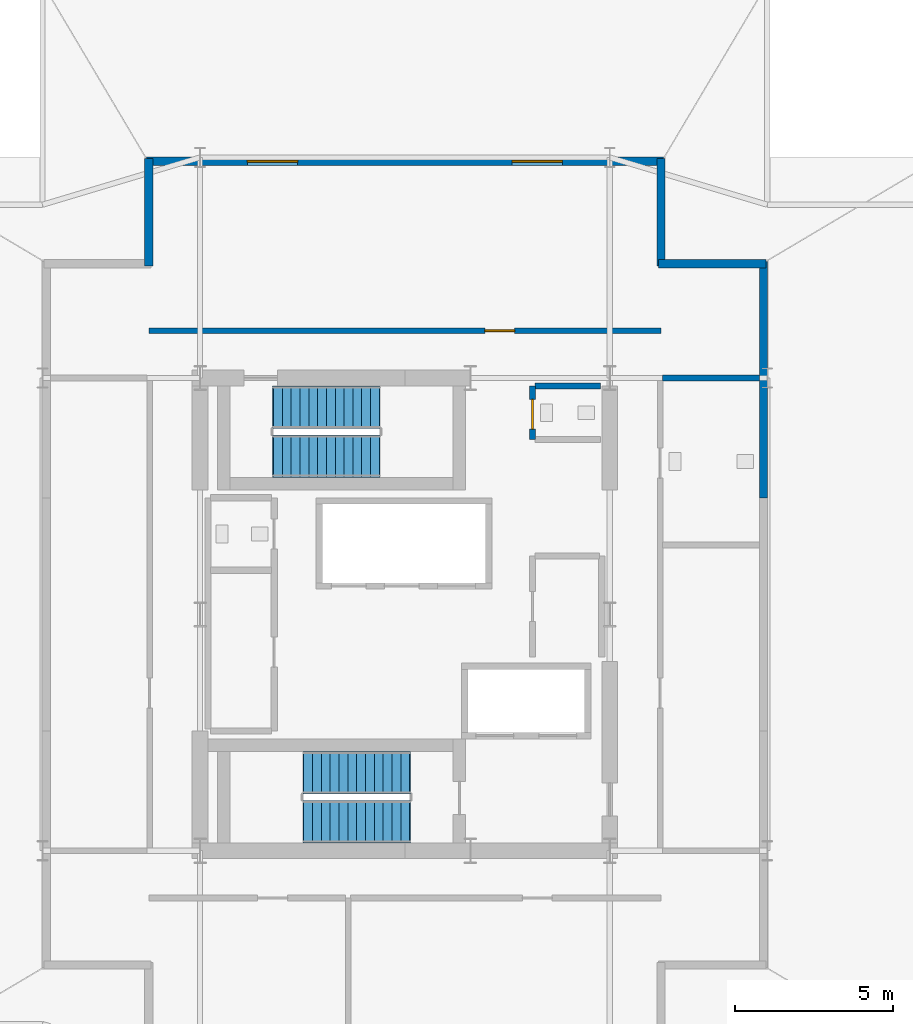
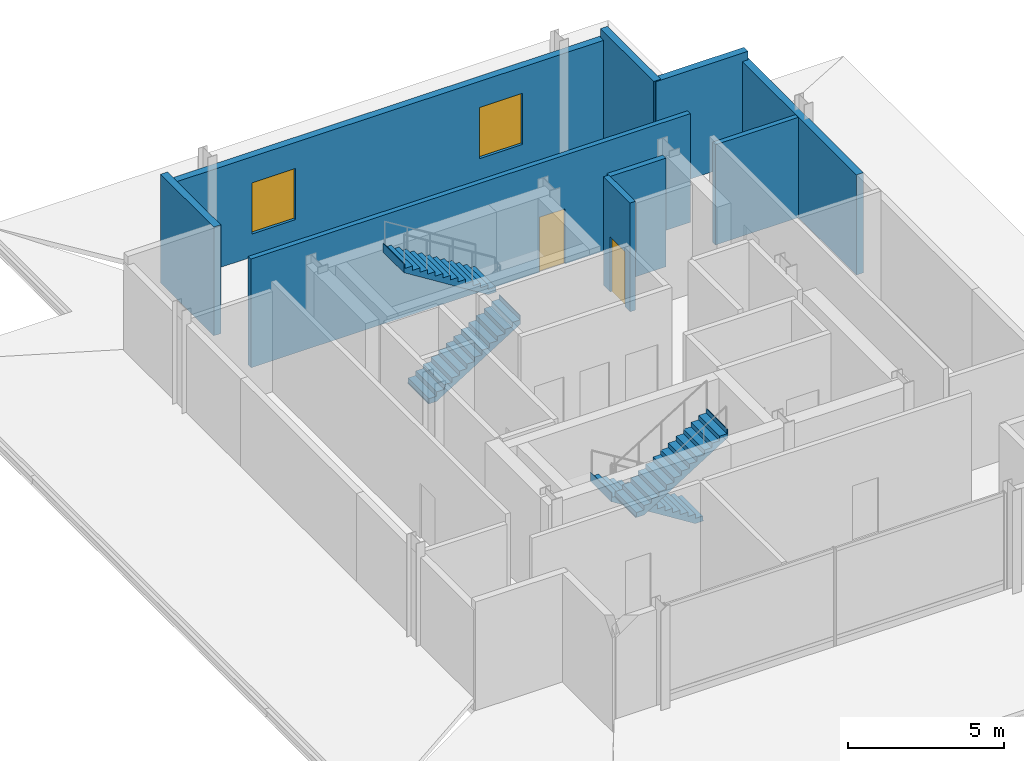
# One storey, part 7 of 9: 9 walls, 4 stair flights, 2 doors, 2 windows, 4 openings, 2 elements without a shape of their own.
"""IFC4 building model written with IfcOpenShell, lengths in metres."""

from ifc_helpers import new_model, si_unit, direction, frame, frame_2d, origin, place, context, subcontext, project, spatial, polyline, rectangle, outline, extrude, material, layer, layer_set, type_object, element, fill, aggregate, save


model = new_model("IFC4")

# Units and contexts
model_context = context("Model", 3, precision=1e-05, world=origin(), true_north=direction((0.0, 1.0)))
body_context = subcontext(model_context, "Body", "Model", "MODEL_VIEW")
ifc_project = project(units=[si_unit("LENGTHUNIT", "METRE"), si_unit("AREAUNIT", "SQUARE_METRE"), si_unit("VOLUMEUNIT", "CUBIC_METRE"), si_unit("PLANEANGLEUNIT", "RADIAN"), si_unit("MASSUNIT", "GRAM", prefix="KILO")], contexts=[model_context])

# Site, building, storey
site_placement = place(None, origin())
site = spatial("IfcSite", under=ifc_project, at=site_placement, CompositionType="ELEMENT")
building_placement = place(site_placement, origin())
building = spatial("IfcBuilding", under=site, at=building_placement, Name="Barlavira Tower and Art Museum", CompositionType="ELEMENT")
storey_placement = place(building_placement, frame((0.0, 0.0, 309.89990234375)))
storey = spatial("IfcBuildingStorey", under=building, at=storey_placement, Name="L81", CompositionType="ELEMENT", Elevation=309.89990234375)

# Wall, openings, windows
ifc_material_1 = material(Name="Architectural white precast concrete C40", Category="concrete")
ifc_layer_1 = layer(ifc_material_1, 0.260009765625, Name="Architectural white precast concrete C40")
ifc_layer_set_1 = layer_set([ifc_layer_1], Name="Architectural white precast concrete C40")
wall_type_1 = type_object("IfcWallType", Name="Crown Architectural White Precast Wall 260 Concrete C40", PredefinedType="SOLIDWALL", material=ifc_layer_set_1)
wall_1_placement = place(storey_placement, frame((8.199951171875, 14.3798828125, 0.0), z_axis=(0.0, 0.0, 1.0), x_axis=(-1.0, 0.0, 0.0)))
wall_1 = element("IfcWall", 1, at=wall_1_placement, inside=storey, type_object=wall_type_1, Name="L81 Chisel Tall-North White Precast Wall", PredefinedType="SOLIDWALL", context=body_context, shape_type="SweptSolid", body=[
    extrude(rectangle(XDim=16.39990234375, YDim=0.260009765625, at=frame_2d((8.199951171875, 0.0))), origin(), (0.0, 0.0, 1.0), 3.918212890625),
])
opening_1_placement = place(wall_1_placement, frame((3.199951171875, 0.0, 0.89990234375)))
opening_1 = element("IfcOpeningElement", 2, at=opening_1_placement, cuts=wall_1, Name="Opening WN-04", PredefinedType="OPENING", context=body_context, shape_type="SweptSolid", body=[
    extrude(rectangle(XDim=1.60009765625, YDim=2.0, at=frame_2d((0.800048828125, 1.0))), frame((0.0, 0.14013671875, 0.0), z_axis=(0.0, -1.0, 0.0), x_axis=(1.0, 0.0, 0.0)), (0.0, 0.0, 1.0), 0.280029296875),
])
opening_2_placement = place(wall_1_placement, frame((11.60009765625, 0.0, 0.89990234375)))
opening_2 = element("IfcOpeningElement", 3, at=opening_2_placement, cuts=wall_1, Name="Opening WN-04", PredefinedType="OPENING", context=body_context, shape_type="SweptSolid", body=[
    extrude(rectangle(XDim=1.60009765625, YDim=2.0, at=frame_2d((0.800048828125, 1.0))), frame((0.0, 0.14013671875, 0.0), z_axis=(0.0, -1.0, 0.0), x_axis=(1.0, 0.0, 0.0)), (0.0, 0.0, 1.0), 0.280029296875),
])
ifc_material_2 = material(Name="Low-iron coastal laminated glass", Category="glass")
window_type = type_object("IfcWindowType", Name="Crown Conservatory Casement Window 1600x2000", PartitioningType="SINGLE_PANEL", PredefinedType="WINDOW", material=ifc_material_2)
window_1_placement = place(opening_1_placement, origin())
window_1 = element("IfcWindow", 4, at=window_1_placement, inside=storey, type_object=window_type, Name="L81 Conservatory Casement Window 1", OverallHeight=2.0, OverallWidth=1.60009765625, PartitioningType="SINGLE_PANEL", PredefinedType="WINDOW", context=body_context, shape_type="SweptSolid", body=[
    extrude(rectangle(XDim=1.60009765625, YDim=2.0, at=frame_2d((0.800048828125, 1.0))), frame((0.0, 0.030029296875, 0.0), z_axis=(0.0, -1.0, 0.0), x_axis=(1.0, 0.0, 0.0)), (0.0, 0.0, 1.0), 0.06005859375),
])
fill(opening_1, window_1)
window_2_placement = place(opening_2_placement, origin())
window_2 = element("IfcWindow", 5, at=window_2_placement, inside=storey, type_object=window_type, Name="L81 Conservatory Casement Window 2", OverallHeight=2.0, OverallWidth=1.60009765625, PartitioningType="SINGLE_PANEL", PredefinedType="WINDOW", context=body_context, shape_type="SweptSolid", body=[
    extrude(rectangle(XDim=1.60009765625, YDim=2.0, at=frame_2d((0.800048828125, 1.0))), frame((0.0, 0.030029296875, 0.0), z_axis=(0.0, -1.0, 0.0), x_axis=(1.0, 0.0, 0.0)), (0.0, 0.0, 1.0), 0.06005859375),
])
fill(opening_2, window_2)

# Walls
wall_2_placement = place(storey_placement, frame((11.3798828125, 3.699951171875, 0.0), z_axis=(0.0, 0.0, 1.0), x_axis=(0.0, 1.0, 0.0)))
element("IfcWall", 6, at=wall_2_placement, inside=storey, type_object=wall_type_1, Name="L81 Chisel E White Precast Wall 3", PredefinedType="SOLIDWALL", context=body_context, shape_type="SweptSolid", body=[
    extrude(rectangle(XDim=7.5, YDim=0.260009765625, at=frame_2d((3.75, 0.0))), origin(), (0.0, 0.0, 1.0), 3.918212890625),
])
for number, where, z_axis, x_axis, name in (
    (7, (11.4599609375, 11.1298828125, 0.0), (0.0, 0.0, 1.0), (-1.0, 0.0, 0.0), "L81 Crown Notch White Precast Wall NE1"),
    (8, (8.1298828125, 11.050048828125, 0.0), (0.0, 0.0, 1.0), (0.0, 1.0, 0.0), "L81 Crown Notch White Precast Wall NE2"),
    (9, (-8.1298828125, 14.4599609375, 0.0), (0.0, 0.0, 1.0), (0.0, -1.0, 0.0), "L81 Crown Notch White Precast Wall NW1"),
):
    element("IfcWall", number, at=place(storey_placement, frame(where, z_axis=z_axis, x_axis=x_axis)), inside=storey, type_object=wall_type_1, Name=name, PredefinedType="SOLIDWALL", context=body_context, shape_type="SweptSolid", body=[
        extrude(rectangle(XDim=3.409912109375, YDim=0.260009765625, at=frame_2d((1.705078125, 0.0))), origin(), (0.0, 0.0, 1.0), 4.25),
    ])

# Wall, opening, door
ifc_material_3 = material(Name="Autoclaved aerated concrete masonry", Category="masonry")
ifc_layer_2 = layer(ifc_material_3, 0.199951171875, Name="Autoclaved aerated concrete masonry")
ifc_layer_set_2 = layer_set([ifc_layer_2], Name="Autoclaved aerated concrete masonry")
wall_type_2 = type_object("IfcWallType", Name="Fire Compartment and Shaft Wall 200", PredefinedType="SOLIDWALL", material=ifc_layer_set_2)
wall_3_placement = place(storey_placement, frame((4.050048828125, 5.550048828125, 0.0), z_axis=(0.0, 0.0, 1.0), x_axis=(0.0, 1.0, 0.0)))
wall_3 = element("IfcWall", 10, at=wall_3_placement, inside=storey, type_object=wall_type_2, Name="L81 Partition Wall 6", PredefinedType="SOLIDWALL", context=body_context, shape_type="SweptSolid", body=[
    extrude(rectangle(XDim=1.699951171875, YDim=0.199951171875, at=frame_2d((0.85009765625, 0.0))), origin(), (0.0, 0.0, 1.0), 4.25),
])
opening_3_placement = place(wall_3_placement, frame((0.324951171875, 0.0, 0.0)))
opening_3 = element("IfcOpeningElement", 11, at=opening_3_placement, cuts=wall_3, Name="Opening FD-60", PredefinedType="OPENING", context=body_context, shape_type="SweptSolid", body=[
    extrude(rectangle(XDim=0.949951171875, YDim=2.14990234375, at=frame_2d((0.47509765625, 1.074951171875))), frame((0.0, 0.10986328125, 0.0), z_axis=(0.0, -1.0, 0.0), x_axis=(1.0, 0.0, 0.0)), (0.0, 0.0, 1.0), 0.219970703125),
])
ifc_material_4 = material(Name="Brushed stainless steel", Category="steel")
door_type = type_object("IfcDoorType", Name="Apartment Entrance and Riser Fire Door 950x2150 FD60S", OperationType="NOTDEFINED", PredefinedType="DOOR", material=ifc_material_4)
door_1_placement = place(opening_3_placement, origin())
door_1 = element("IfcDoor", 12, at=door_1_placement, inside=storey, type_object=door_type, Name="Core Accessible Washroom Door", OperationType="SINGLE_SWING_RIGHT", OverallHeight=2.14990234375, OverallWidth=0.949951171875, PredefinedType="DOOR", context=body_context, shape_type="SweptSolid", body=[
    extrude(rectangle(XDim=0.949951171875, YDim=2.14990234375, at=frame_2d((0.47509765625, 1.074951171875))), frame((0.0, 0.02490234375, 0.0), z_axis=(0.0, -1.0, 0.0), x_axis=(1.0, 0.0, 0.0)), (0.0, 0.0, 1.0), 0.050048828125),
])
fill(opening_3, door_1)

# Walls
wall_4_placement = place(storey_placement, frame((4.1298828125, 7.25, 0.0), z_axis=(0.0, 0.0, 1.0), x_axis=(1.0, 0.0, 0.0)))
element("IfcWall", 13, at=wall_4_placement, inside=storey, type_object=wall_type_2, Name="L81 Partition Wall 19", PredefinedType="SOLIDWALL", context=body_context, shape_type="SweptSolid", body=[
    extrude(rectangle(XDim=2.070068359375, YDim=0.199951171875, at=frame_2d((1.03515625, 0.0))), origin(), (0.0, 0.0, 1.0), 4.25),
])
ifc_material_5 = material(Name="Gypsum acoustic stud partition", Category="gypsum")
ifc_layer_3 = layer(ifc_material_5, 0.179931640625, Name="Gypsum acoustic stud partition")
ifc_layer_set_3 = layer_set([ifc_layer_3], Name="Gypsum acoustic stud partition")
wall_type_3 = type_object("IfcWallType", Name="Inter-Tenancy Party Partition Wall 180", PredefinedType="PARTITIONING", material=ifc_layer_set_3)
wall_5_placement = place(storey_placement, frame((8.179931640625, 7.5, 0.0), z_axis=(0.0, 0.0, 1.0), x_axis=(1.0, 0.0, 0.0)))
element("IfcWall", 14, at=wall_5_placement, inside=storey, type_object=wall_type_3, Name="L81 Partition Wall 21", PredefinedType="PARTITIONING", context=body_context, shape_type="SweptSolid", body=[
    extrude(rectangle(XDim=3.065185546875, YDim=0.179931640625, at=frame_2d((1.53271484375, 0.0))), origin(), (0.0, 0.0, 1.0), 3.918212890625),
])

# Wall, opening, door
wall_6_placement = place(storey_placement, frame((-8.1201171875, 9.0, 0.0), z_axis=(0.0, 0.0, 1.0), x_axis=(1.0, 0.0, 0.0)))
wall_6 = element("IfcWall", 15, at=wall_6_placement, inside=storey, type_object=wall_type_3, Name="L81 Partition Wall 22", PredefinedType="PARTITIONING", context=body_context, shape_type="SweptSolid", body=[
    extrude(rectangle(XDim=16.240234375, YDim=0.179931640625, at=frame_2d((8.1201171875, 0.0))), origin(), (0.0, 0.0, 1.0), 4.25),
])
opening_4_placement = place(wall_6_placement, frame((10.655029296875, 0.0, 0.0)))
opening_4 = element("IfcOpeningElement", 16, at=opening_4_placement, cuts=wall_6, Name="Opening FD-60", PredefinedType="OPENING", context=body_context, shape_type="SweptSolid", body=[
    extrude(rectangle(XDim=0.949951171875, YDim=2.14990234375, at=frame_2d((0.47509765625, 1.074951171875))), frame((0.0, 0.10009765625, 0.0), z_axis=(0.0, -1.0, 0.0), x_axis=(1.0, 0.0, 0.0)), (0.0, 0.0, 1.0), 0.199951171875),
])
door_2_placement = place(opening_4_placement, origin())
door_2 = element("IfcDoor", 17, at=door_2_placement, inside=storey, type_object=door_type, Name="L81 North Coastal Orchidarium Salon Door", OperationType="SINGLE_SWING_LEFT", OverallHeight=2.14990234375, OverallWidth=0.949951171875, PredefinedType="DOOR", context=body_context, shape_type="SweptSolid", body=[
    extrude(rectangle(XDim=0.949951171875, YDim=2.14990234375, at=frame_2d((0.47509765625, 1.074951171875))), frame((0.0, 0.02490234375, 0.0), z_axis=(0.0, -1.0, 0.0), x_axis=(1.0, 0.0, 0.0)), (0.0, 0.0, 1.0), 0.050048828125),
])
fill(opening_4, door_2)

# Stair, stair flights
ifc_material_6 = material(Name="Concrete C45", Category="concrete")
stair_type_1 = type_object("IfcStairType", Name="Tower North Dog-Leg Exit Stair Assembly Concrete C45", PredefinedType="TWO_QUARTER_TURN_STAIR", material=ifc_material_6)
stair_1_placement = place(storey_placement, origin())
stair_1 = element("IfcStair", 18, at=stair_1_placement, inside=storey, type_object=stair_type_1, Name="L81 Tower North Exit Stair ST-T2", PredefinedType="TWO_QUARTER_TURN_STAIR")
ifc_material_7 = material(Name="Precast concrete C45", Category="concrete")
stair_flight_type_1 = type_object("IfcStairFlightType", Name="Tower North Dog-Leg Exit Stair Precast Flight 1350 Concrete C45", PredefinedType="STRAIGHT", material=ifc_material_7)
stair_flight_1_placement = place(storey_placement, frame((-4.169921875, 5.02490234375, 0.0), z_axis=(0.0, 0.0, 1.0), x_axis=(1.0, 0.0, 0.0)))
stair_flight_1 = element("IfcStairFlight", 19, at=stair_flight_1_placement, type_object=stair_flight_type_1, Name="ST-T2 flight 1", NumberOfRisers=13, NumberOfTreads=12, PredefinedType="STRAIGHT", RiserHeight=0.173076923, TreadLength=0.28, context=body_context, shape_type="SweptSolid", body=[
    extrude(outline(polyline([(-0.02490234375, 0.0), (0.0, 0.0), (0.0, 0.173095703125), (0.280029296875, 0.173095703125), (0.280029296875, 0.34619140625), (0.56005859375, 0.34619140625), (0.56005859375, 0.519287109375), (0.840087890625, 0.519287109375), (0.840087890625, 0.6923828125), (1.1201171875, 0.6923828125), (1.1201171875, 0.865478515625), (1.39990234375, 0.865478515625), (1.39990234375, 1.03857421875), (1.679931640625, 1.03857421875), (1.679931640625, 1.21142578125), (1.9599609375, 1.21142578125), (1.9599609375, 1.384521484375), (2.239990234375, 1.384521484375), (2.239990234375, 1.5576171875), (2.52001953125, 1.5576171875), (2.52001953125, 1.730712890625), (2.800048828125, 1.730712890625), (2.800048828125, 1.90380859375), (3.080078125, 1.90380859375), (3.080078125, 2.076904296875), (3.360107421875, 2.076904296875), (3.360107421875, 2.25), (3.385009765625, 2.25), (3.385009765625, 1.900634765625), (3.360107421875, 1.900634765625), (0.28515625, -0.02490234375), (-0.02490234375, -0.02490234375), (-0.02490234375, 0.0)])), frame((0.0, 0.675048828125, 0.0), z_axis=(0.0, -1.0, 0.0), x_axis=(1.0, 0.0, 0.0)), (0.0, 0.0, 1.0), 1.35009765625),
])
stair_flight_2_placement = place(storey_placement, frame((-0.81005859375, 6.574951171875, 2.25), z_axis=(0.0, 0.0, 1.0), x_axis=(-1.0, 0.0, 0.0)))
stair_flight_2 = element("IfcStairFlight", 20, at=stair_flight_2_placement, type_object=stair_flight_type_1, Name="ST-T2 flight 2", NumberOfRisers=13, NumberOfTreads=12, PredefinedType="STRAIGHT", RiserHeight=0.173076923, TreadLength=0.28, context=body_context, shape_type="SweptSolid", body=[
    extrude(outline(polyline([(-0.02490234375, 0.0), (0.0, 0.0), (0.0, 0.173095703125), (0.280029296875, 0.173095703125), (0.280029296875, 0.34619140625), (0.56005859375, 0.34619140625), (0.56005859375, 0.519287109375), (0.840087890625, 0.519287109375), (0.840087890625, 0.6923828125), (1.1201171875, 0.6923828125), (1.1201171875, 0.865478515625), (1.39990234375, 0.865478515625), (1.39990234375, 1.03857421875), (1.679931640625, 1.03857421875), (1.679931640625, 1.21142578125), (1.9599609375, 1.21142578125), (1.9599609375, 1.384521484375), (2.239990234375, 1.384521484375), (2.239990234375, 1.5576171875), (2.52001953125, 1.5576171875), (2.52001953125, 1.730712890625), (2.800048828125, 1.730712890625), (2.800048828125, 1.90380859375), (3.080078125, 1.90380859375), (3.080078125, 2.076904296875), (3.360107421875, 2.076904296875), (3.360107421875, 2.25), (3.385009765625, 2.25), (3.385009765625, 1.900634765625), (3.360107421875, 1.900634765625), (0.28515625, -0.02490234375), (-0.02490234375, -0.02490234375), (-0.02490234375, 0.0)])), frame((0.0, 0.675048828125, 0.0), z_axis=(0.0, -1.0, 0.0), x_axis=(1.0, 0.0, 0.0)), (0.0, 0.0, 1.0), 1.35009765625),
])
aggregate(stair_1, [stair_flight_1, stair_flight_2])

stair_type_2 = type_object("IfcStairType", Name="Tower South Dog-Leg Exit Stair Assembly Concrete C45", PredefinedType="TWO_QUARTER_TURN_STAIR", material=ifc_material_6)
stair_2_placement = place(storey_placement, origin())
stair_2 = element("IfcStair", 21, at=stair_2_placement, inside=storey, type_object=stair_type_2, Name="L81 Tower South Exit Stair ST-T1", PredefinedType="TWO_QUARTER_TURN_STAIR")
stair_flight_type_2 = type_object("IfcStairFlightType", Name="Tower South Dog-Leg Exit Stair Precast Flight 1350 Concrete C45", PredefinedType="STRAIGHT", material=ifc_material_7)
stair_flight_3_placement = place(storey_placement, frame((0.14990234375, -5.02490234375, 0.0), z_axis=(0.0, 0.0, 1.0), x_axis=(-1.0, 0.0, 0.0)))
stair_flight_3 = element("IfcStairFlight", 22, at=stair_flight_3_placement, type_object=stair_flight_type_2, Name="ST-T1 flight 1", NumberOfRisers=13, NumberOfTreads=12, PredefinedType="STRAIGHT", RiserHeight=0.173076923, TreadLength=0.28, context=body_context, shape_type="SweptSolid", body=[
    extrude(outline(polyline([(-0.02490234375, 0.0), (0.0, 0.0), (0.0, 0.173095703125), (0.280029296875, 0.173095703125), (0.280029296875, 0.34619140625), (0.56005859375, 0.34619140625), (0.56005859375, 0.519287109375), (0.840087890625, 0.519287109375), (0.840087890625, 0.6923828125), (1.1201171875, 0.6923828125), (1.1201171875, 0.865478515625), (1.39990234375, 0.865478515625), (1.39990234375, 1.03857421875), (1.679931640625, 1.03857421875), (1.679931640625, 1.21142578125), (1.9599609375, 1.21142578125), (1.9599609375, 1.384521484375), (2.239990234375, 1.384521484375), (2.239990234375, 1.5576171875), (2.52001953125, 1.5576171875), (2.52001953125, 1.730712890625), (2.800048828125, 1.730712890625), (2.800048828125, 1.90380859375), (3.080078125, 1.90380859375), (3.080078125, 2.076904296875), (3.360107421875, 2.076904296875), (3.360107421875, 2.25), (3.385009765625, 2.25), (3.385009765625, 1.900634765625), (3.360107421875, 1.900634765625), (0.28515625, -0.02490234375), (-0.02490234375, -0.02490234375), (-0.02490234375, 0.0)])), frame((0.0, 0.675048828125, 0.0), z_axis=(0.0, -1.0, 0.0), x_axis=(1.0, 0.0, 0.0)), (0.0, 0.0, 1.0), 1.35009765625),
])
stair_flight_4_placement = place(storey_placement, frame((-3.2099609375, -6.574951171875, 2.25), z_axis=(0.0, 0.0, 1.0), x_axis=(1.0, 0.0, 0.0)))
stair_flight_4 = element("IfcStairFlight", 23, at=stair_flight_4_placement, type_object=stair_flight_type_2, Name="ST-T1 flight 2", NumberOfRisers=13, NumberOfTreads=12, PredefinedType="STRAIGHT", RiserHeight=0.173076923, TreadLength=0.28, context=body_context, shape_type="SweptSolid", body=[
    extrude(outline(polyline([(-0.02490234375, 0.0), (0.0, 0.0), (0.0, 0.173095703125), (0.280029296875, 0.173095703125), (0.280029296875, 0.34619140625), (0.56005859375, 0.34619140625), (0.56005859375, 0.519287109375), (0.840087890625, 0.519287109375), (0.840087890625, 0.6923828125), (1.1201171875, 0.6923828125), (1.1201171875, 0.865478515625), (1.39990234375, 0.865478515625), (1.39990234375, 1.03857421875), (1.679931640625, 1.03857421875), (1.679931640625, 1.21142578125), (1.9599609375, 1.21142578125), (1.9599609375, 1.384521484375), (2.239990234375, 1.384521484375), (2.239990234375, 1.5576171875), (2.52001953125, 1.5576171875), (2.52001953125, 1.730712890625), (2.800048828125, 1.730712890625), (2.800048828125, 1.90380859375), (3.080078125, 1.90380859375), (3.080078125, 2.076904296875), (3.360107421875, 2.076904296875), (3.360107421875, 2.25), (3.385009765625, 2.25), (3.385009765625, 1.900634765625), (3.360107421875, 1.900634765625), (0.28515625, -0.02490234375), (-0.02490234375, -0.02490234375), (-0.02490234375, 0.0)])), frame((0.0, 0.675048828125, 0.0), z_axis=(0.0, -1.0, 0.0), x_axis=(1.0, 0.0, 0.0)), (0.0, 0.0, 1.0), 1.35009765625),
])
aggregate(stair_2, [stair_flight_3, stair_flight_4])

save(model, "model.ifc")
